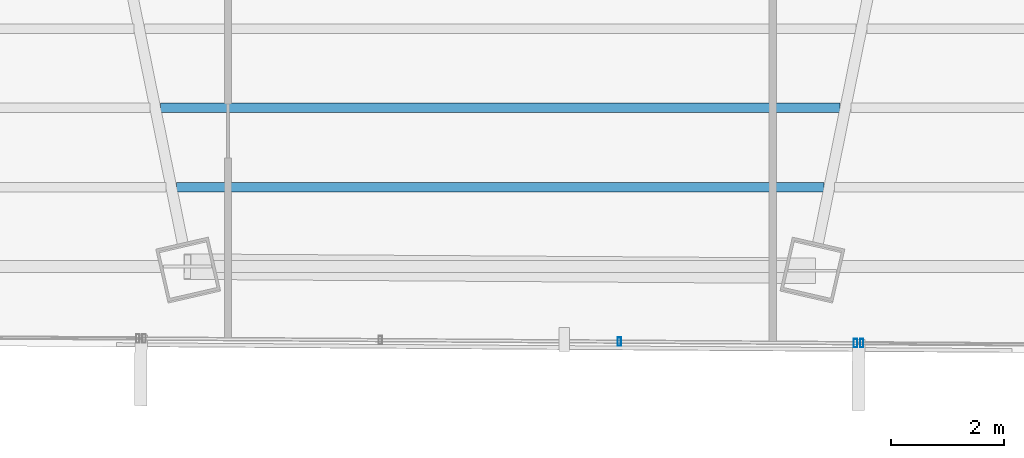
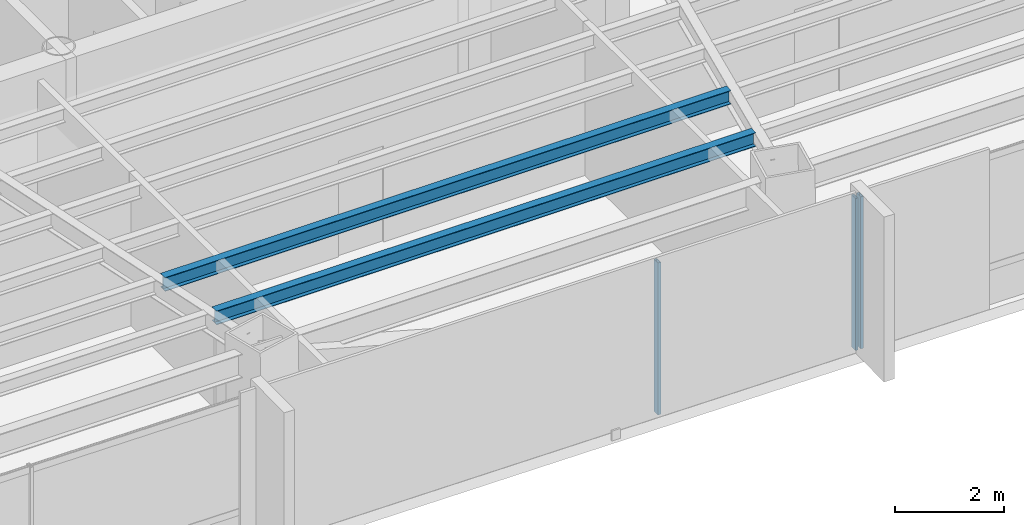
# One storey, part 10 of 41: 3 members, 2 beams, 2 elements without a shape of their own.
"""IFC4 building model written with IfcOpenShell, lengths in metres."""

from ifc_helpers import new_model, si_unit, direction, frame, origin, origin_2d, place, context, subcontext, project, spatial, hollow_rectangle, i_section, extrude, source, transform, mapped, material, material_profile, profile_set, type_object, type_shapes, element, aggregate, save


model = new_model("IFC4")

# Units and contexts
model_context = context("Model", 3, precision=1e-05, world=origin(), true_north=direction((0.0, 1.0)))
body_context = subcontext(model_context, "Body", "Model", "MODEL_VIEW")
ifc_project = project(units=[si_unit("LENGTHUNIT", "METRE"), si_unit("AREAUNIT", "SQUARE_METRE"), si_unit("VOLUMEUNIT", "CUBIC_METRE"), si_unit("PLANEANGLEUNIT", "RADIAN"), si_unit("MASSUNIT", "GRAM", prefix="KILO")], contexts=[model_context])

# Site, building, storey
site_placement = place(None, origin())
site = spatial("IfcSite", under=ifc_project, at=site_placement, CompositionType="ELEMENT")
building_placement = place(site_placement, origin())
building = spatial("IfcBuilding", under=site, at=building_placement, Name="Caelisora Broadcast Tower", CompositionType="ELEMENT")
storey_placement = place(building_placement, frame((0.0, 0.0, 165.800048828125)))
storey = spatial("IfcBuildingStorey", under=building, at=storey_placement, Name="L43", CompositionType="ELEMENT", Elevation=165.800048828125)

# Beams
ifc_material_1 = material(Name="Steel Grade 350 (AS/NZS 3679.1)", Category="steel")
ifc_material_profile_1 = material_profile(ifc_material_1, i_section(OverallWidth=0.166015625, OverallDepth=0.30712890625, WebThickness=0.006591796875, FlangeThickness=0.01171875, at=origin_2d()), Name="Steel Grade 350 (AS/NZS 3679.1)")
ifc_profile_set_1 = profile_set([ifc_material_profile_1], Name="Steel Grade 350 (AS/NZS 3679.1)")
beam_type = type_object("IfcBeamType", Name="SB03", PredefinedType="JOIST", material=ifc_profile_set_1)
shared_shape_1 = source(origin(), body_context, "Body", "SweptSolid", [
    extrude(i_section(OverallWidth=0.166015625, OverallDepth=0.30712890625, WebThickness=0.006591796875, FlangeThickness=0.01171875, at=origin_2d()), origin(), (0.0, 0.0, 1.0), 11.974609375),
])
beam_1_placement = place(storey_placement, frame((32.0126953125, 10.406982421875, 3.246337890625), z_axis=(1.0, 0.0, 0.0), x_axis=(0.0, 1.0, 0.0)))
element("IfcBeam", 1, at=beam_1_placement, inside=storey, type_object=beam_type, Name="L43 beam SB03", PredefinedType="JOIST", context=body_context, shape_type="MappedRepresentation", body=[
    mapped(shared_shape_1, transform((0.0, 0.0, 0.0), scale=1.0)),
])
shared_shape_2 = source(origin(), body_context, "Body", "SweptSolid", [
    extrude(i_section(OverallWidth=0.166015625, OverallDepth=0.30712890625, WebThickness=0.006591796875, FlangeThickness=0.01171875, at=origin_2d()), origin(), (0.0, 0.0, 1.0), 11.4072265625),
])
type_shapes(beam_type, [shared_shape_1, shared_shape_2])
beam_2_placement = place(storey_placement, frame((32.29638671875, 9.00830078125, 3.246337890625), z_axis=(1.0, 0.0, 0.0), x_axis=(0.0, 1.0, 0.0)))
element("IfcBeam", 2, at=beam_2_placement, inside=storey, type_object=beam_type, Name="L43 beam SB03", PredefinedType="JOIST", context=body_context, shape_type="MappedRepresentation", body=[
    mapped(shared_shape_2, transform((0.0, 0.0, 0.0), scale=1.0)),
])

# Curtain wall, member
ifc_material_2 = material(Name="Unitised Aluminium and Low-E Glass Curtain Wall", Category="glass")
curtain_wall_type_1 = type_object("IfcCurtainWallType", Name="CW-Z3", PredefinedType="NOTDEFINED", material=ifc_material_2)
curtain_wall_1_placement = place(storey_placement, origin())
curtain_wall_1 = element("IfcCurtainWall", 3, at=curtain_wall_1_placement, inside=storey, type_object=curtain_wall_type_1, Name="L43 curtain wall CW-Z3", PredefinedType="NOTDEFINED")
ifc_material_3 = material(Name="Aluminium 6063-T6 Anodised Terracotta Bronze", Category="aluminium")
ifc_material_profile_2 = material_profile(ifc_material_3, hollow_rectangle(XDim=0.06005859375, YDim=0.14990234375, WallThickness=0.00341796875, at=origin_2d()), Name="Aluminium 6063-T6 Anodised Terracotta Bronze")
ifc_profile_set_2 = profile_set([ifc_material_profile_2], Name="Aluminium 6063-T6 Anodised Terracotta Bronze")
member_type = type_object("IfcMemberType", Name="CWM-03", PredefinedType="MULLION", material=ifc_profile_set_2)
shared_shape_3 = source(origin(), body_context, "Body", "SweptSolid", [
    extrude(hollow_rectangle(XDim=0.06005859375, YDim=0.14990234375, WallThickness=0.00341796875, at=origin_2d()), origin(), (0.0, 0.0, 1.0), 3.39990234375),
])
type_shapes(member_type, [shared_shape_3])
member_1_placement = place(storey_placement, frame((44.369384765625, 6.260009765625, 0.0), z_axis=(0.0, 0.0, 1.0), x_axis=(1.0, 0.0, 0.0)))
member_1 = element("IfcMember", 4, at=member_1_placement, type_object=member_type, Name="L43-CW-B05 mullion #3", PredefinedType="MULLION", context=body_context, shape_type="MappedRepresentation", body=[
    mapped(shared_shape_3, transform((0.0, 0.0, 0.0), scale=1.0)),
])
aggregate(curtain_wall_1, [member_1])

# Curtain wall, members
ifc_material_4 = material(Name="Unitised Aluminium Insulated Shadow-Box Spandrel Curtain Wall", Category="aluminium")
curtain_wall_type_2 = type_object("IfcCurtainWallType", Name="CW-SP2", PredefinedType="NOTDEFINED", material=ifc_material_4)
curtain_wall_2_placement = place(storey_placement, origin())
curtain_wall_2 = element("IfcCurtainWall", 5, at=curtain_wall_2_placement, inside=storey, type_object=curtain_wall_type_2, Name="L43 curtain wall CW-SP2", PredefinedType="NOTDEFINED")
member_2_placement = place(storey_placement, frame((44.259521484375, 6.2607421875, 0.0), z_axis=(0.0, 0.0, 1.0), x_axis=(1.0, 0.0, 0.0)))
member_2 = element("IfcMember", 6, at=member_2_placement, type_object=member_type, Name="L43-CW-B06 mullion #0", PredefinedType="MULLION", context=body_context, shape_type="MappedRepresentation", body=[
    mapped(shared_shape_3, transform((0.0, 0.0, 0.0), scale=1.0)),
])
member_3_placement = place(storey_placement, frame((40.097900390625, 6.2880859375, 0.0), z_axis=(0.0, 0.0, 1.0), x_axis=(1.0, 0.0, 0.0)))
member_3 = element("IfcMember", 7, at=member_3_placement, type_object=member_type, Name="L43-CW-B06 mullion #1", PredefinedType="MULLION", context=body_context, shape_type="MappedRepresentation", body=[
    mapped(shared_shape_3, transform((0.0, 0.0, 0.0), scale=1.0)),
])
aggregate(curtain_wall_2, [member_2, member_3])

save(model, "model.ifc")
